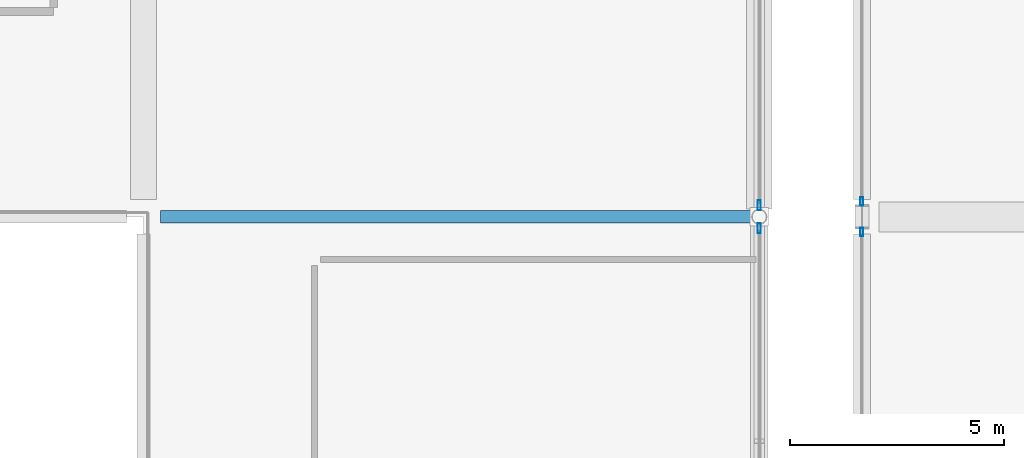
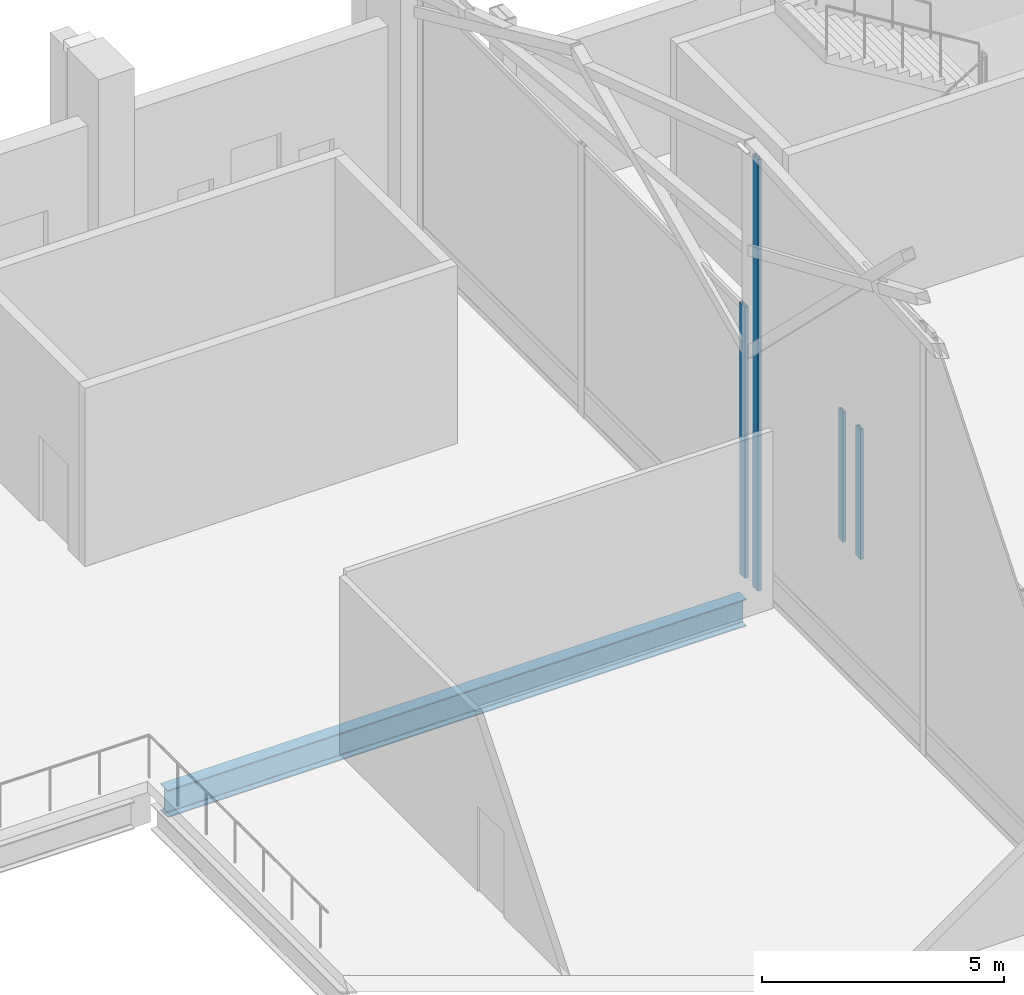
# One storey, part 80 of 220: 4 members, 1 beam, 4 elements without a shape of their own.
"""IFC4 building model written with IfcOpenShell, lengths in metres."""

from ifc_helpers import new_model, si_unit, direction, frame, origin, origin_2d, place, context, subcontext, project, spatial, hollow_rectangle, i_section, extrude, material, material_profile, profile_set, type_object, element, aggregate, save


model = new_model("IFC4")

# Units and contexts
model_context = context("Model", 3, precision=1e-05, world=origin(), true_north=direction((0.0, 1.0)))
body_context = subcontext(model_context, "Body", "Model", "MODEL_VIEW")
ifc_project = project(units=[si_unit("LENGTHUNIT", "METRE"), si_unit("AREAUNIT", "SQUARE_METRE"), si_unit("VOLUMEUNIT", "CUBIC_METRE"), si_unit("PLANEANGLEUNIT", "RADIAN"), si_unit("MASSUNIT", "GRAM", prefix="KILO")], contexts=[model_context])

# Site, building, storey
site_placement = place(None, origin())
site = spatial("IfcSite", under=ifc_project, at=site_placement, CompositionType="ELEMENT")
building_placement = place(site_placement, origin())
building = spatial("IfcBuilding", under=site, at=building_placement, Name="Cendralis Lancet Convention Centre", CompositionType="ELEMENT")
storey_placement = place(building_placement, frame((0.0, 0.0, 5.39990234375)))
storey = spatial("IfcBuildingStorey", under=building, at=storey_placement, Name="L01", CompositionType="ELEMENT", Elevation=5.39990234375)

# Curtain wall, member
ifc_material_1 = material(Name="Anodised bronze architectural aluminium", Category="aluminium")
curtain_wall_type_1 = type_object("IfcCurtainWallType", Name="ARC-CW-BL01", PredefinedType="USERDEFINED", material=ifc_material_1)
curtain_wall_1_placement = place(storey_placement, origin())
curtain_wall_1 = element("IfcCurtainWall", 1, at=curtain_wall_1_placement, inside=storey, type_object=curtain_wall_type_1, Name="L01 Curtain Wall CW-BL1 #150", ObjectType="CURTAIN WALL", PredefinedType="USERDEFINED")
ifc_material_profile_1 = material_profile(ifc_material_1, hollow_rectangle(XDim=0.070068359375, YDim=0.199951171875, WallThickness=0.0048828125, at=origin_2d()), Name="AL-MULL 70x200x5.0")
ifc_profile_set_1 = profile_set([ifc_material_profile_1], Name="Anodised bronze architectural aluminium")
member_type_1 = type_object("IfcMemberType", Name="ARC-CW-ML02", PredefinedType="MULLION", material=ifc_profile_set_1)
member_1_placement = place(storey_placement, frame((124.800048828125, 122.0400390625, 0.0), z_axis=(0.0, 0.0, 1.0), x_axis=(1.0, 0.0, 0.0)))
member_1 = element("IfcMember", 2, at=member_1_placement, type_object=member_type_1, Name="Mullion CW2-CW-BL1-L01-150-M2", PredefinedType="MULLION", context=body_context, shape_type="SweptSolid", body=[
    extrude(hollow_rectangle(XDim=0.070068359375, YDim=0.199951171875, WallThickness=0.0048828125, at=origin_2d()), origin(), (0.0, 0.0, 1.0), 3.28515625),
])
aggregate(curtain_wall_1, [member_1])

curtain_wall_2_placement = place(storey_placement, origin())
curtain_wall_2 = element("IfcCurtainWall", 3, at=curtain_wall_2_placement, inside=storey, type_object=curtain_wall_type_1, Name="L01 Curtain Wall CW-BL1 #151", ObjectType="CURTAIN WALL", PredefinedType="USERDEFINED")
member_2_placement = place(storey_placement, frame((124.800048828125, 122.760009765625, 0.0), z_axis=(0.0, 0.0, 1.0), x_axis=(1.0, 0.0, 0.0)))
member_2 = element("IfcMember", 4, at=member_2_placement, type_object=member_type_1, Name="Mullion CW2-CW-BL1-L01-151-M0", PredefinedType="MULLION", context=body_context, shape_type="SweptSolid", body=[
    extrude(hollow_rectangle(XDim=0.070068359375, YDim=0.199951171875, WallThickness=0.0048828125, at=origin_2d()), origin(), (0.0, 0.0, 1.0), 3.28515625),
])
aggregate(curtain_wall_2, [member_2])

curtain_wall_type_2 = type_object("IfcCurtainWallType", Name="ARC-CW-GB02", PredefinedType="USERDEFINED", material=ifc_material_1)
curtain_wall_3_placement = place(storey_placement, origin())
curtain_wall_3 = element("IfcCurtainWall", 5, at=curtain_wall_3_placement, inside=storey, type_object=curtain_wall_type_2, Name="L01 Curtain Wall CW-GB2 #108", ObjectType="CURTAIN WALL", PredefinedType="USERDEFINED")
ifc_material_profile_2 = material_profile(ifc_material_1, hollow_rectangle(XDim=0.080078125, YDim=0.239990234375, WallThickness=0.0048828125, at=origin_2d()), Name="AL-MULL 80x240x5.0")
ifc_profile_set_2 = profile_set([ifc_material_profile_2], Name="Anodised bronze architectural aluminium")
member_type_2 = type_object("IfcMemberType", Name="ARC-CW-ML03", PredefinedType="MULLION", material=ifc_profile_set_2)
member_3_placement = place(storey_placement, frame((122.39990234375, 122.132080078125, 0.0), z_axis=(0.0, 0.0, 1.0), x_axis=(1.0, 0.0, 0.0)))
member_3 = element("IfcMember", 6, at=member_3_placement, type_object=member_type_2, Name="Mullion CW2-CW-GB2-L01-108-M0", PredefinedType="MULLION", context=body_context, shape_type="SweptSolid", body=[
    extrude(hollow_rectangle(XDim=0.080078125, YDim=0.239990234375, WallThickness=0.0048828125, at=origin_2d()), origin(), (0.0, 0.0, 1.0), 10.901123046875),
])
aggregate(curtain_wall_3, [member_3])

curtain_wall_4_placement = place(storey_placement, origin())
curtain_wall_4 = element("IfcCurtainWall", 7, at=curtain_wall_4_placement, inside=storey, type_object=curtain_wall_type_2, Name="L01 Curtain Wall CW-GB2 #109", ObjectType="CURTAIN WALL", PredefinedType="USERDEFINED")
member_4_placement = place(storey_placement, frame((122.39990234375, 122.667724609375, 0.0), z_axis=(0.0, 0.0, 1.0), x_axis=(1.0, 0.0, 0.0)))
member_4 = element("IfcMember", 8, at=member_4_placement, type_object=member_type_2, Name="Mullion CW2-CW-GB2-L01-109-M2", PredefinedType="MULLION", context=body_context, shape_type="SweptSolid", body=[
    extrude(hollow_rectangle(XDim=0.080078125, YDim=0.239990234375, WallThickness=0.0048828125, at=origin_2d()), origin(), (0.0, 0.0, 1.0), 6.85009765625),
])
aggregate(curtain_wall_4, [member_4])

# Beam
ifc_material_2 = material(Name="Steel S355", Category="steel")
ifc_material_profile_3 = material_profile(ifc_material_2, i_section(OverallWidth=0.300048828125, OverallDepth=0.68994140625, WebThickness=0.014404296875, FlangeThickness=0.027099609375, FilletRadius=0.027099609375, at=origin_2d()), Name="HEA 700")
ifc_profile_set_3 = profile_set([ifc_material_profile_3], Name="Steel S355")
beam_type = type_object("IfcBeamType", Name="STR-BM-SG08", PredefinedType="BEAM", material=ifc_profile_set_3)
beam_placement = place(storey_placement, frame((108.39990234375, 122.39990234375, -0.625), z_axis=(1.0, 0.0, 0.0), x_axis=(0.0, 1.0, 0.0)))
element("IfcBeam", 9, at=beam_placement, inside=storey, type_object=beam_type, Name="L01 Beam SG08 #1255", PredefinedType="BEAM", context=body_context, shape_type="SweptSolid", body=[
    extrude(i_section(OverallWidth=0.300048828125, OverallDepth=0.68994140625, WebThickness=0.014404296875, FlangeThickness=0.027099609375, FilletRadius=0.027099609375, at=origin_2d()), origin(), (0.0, 0.0, 1.0), 13.822265625),
])

save(model, "model.ifc")
